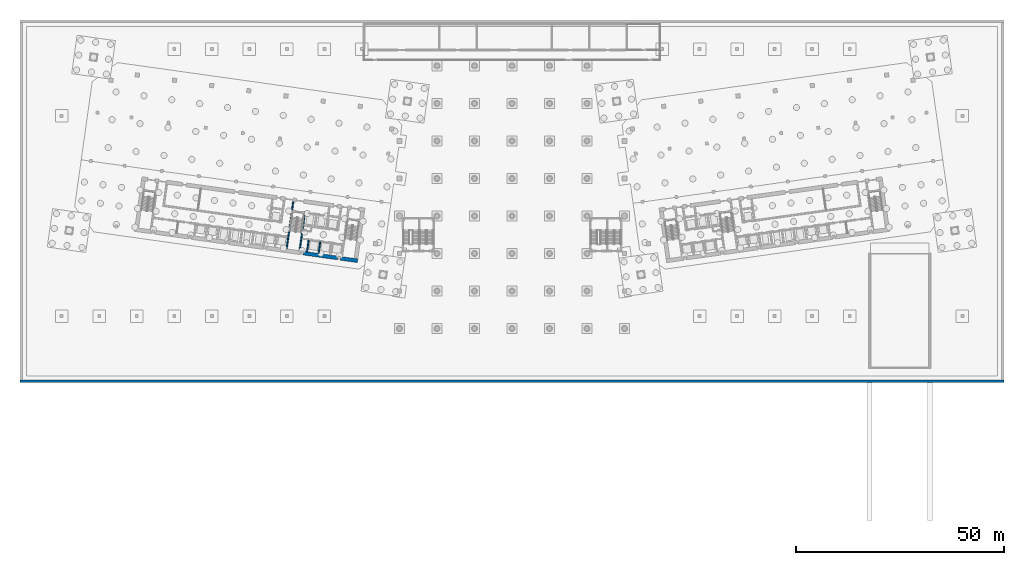
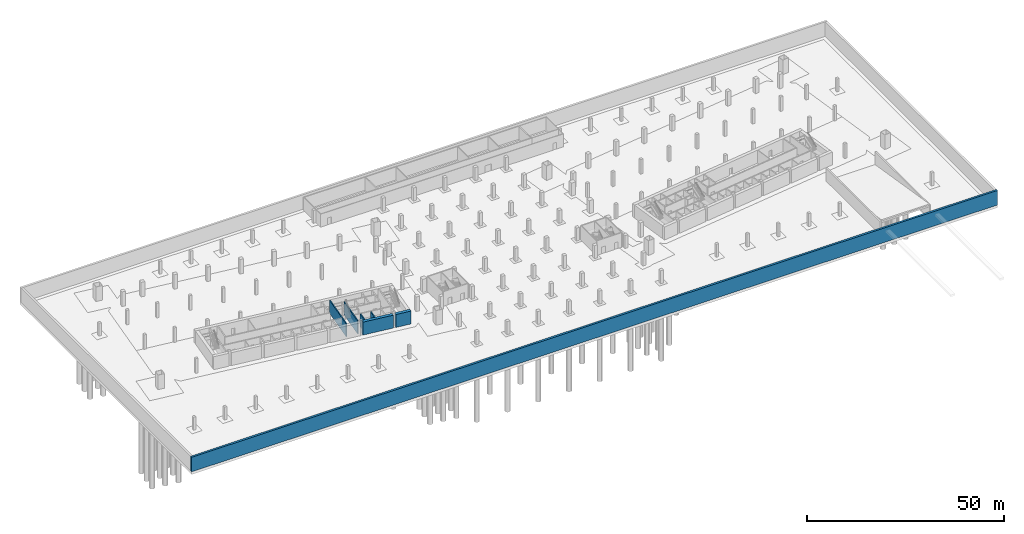
# One storey, part 6 of 19: 7 walls.
"""IFC4 building model written with IfcOpenShell, lengths in metres."""

import ifcopenshell
import ifcopenshell.guid

model = None  # the IFC model being written
_history = None  # IfcOwnerHistory: only IFC2X3 demands one
_inside = {}  # id of a spatial element -> (the spatial element, [elements in it])
_under = {}  # id of a project, library or spatial element -> (it, [spatial elements below it])
_declared = {}  # id of a project -> (the project, [libraries it declares])
_typed = {}  # id of a type object -> (the type object, [elements of that type])
_made_of = {}  # id of a material, layer set ... -> (it, [elements and type objects made of it])


def new_model(schema):
    """Start an empty IFC model of exactly this schema.

    Asked for "IFC4X3", IfcOpenShell would pick the latest addendum, in which some entities
    have other attributes; the version numbers below select the first issue.
    IFC2X3 requires an IfcOwnerHistory on every rooted entity: one is made here for all.
    """
    global model, _history
    if schema == "IFC4X3":
        model = ifcopenshell.file(schema_version=(4, 3, 0, 0))
    else:
        model = ifcopenshell.file(schema=schema)
    _inside.clear()
    _under.clear()
    _declared.clear()
    _typed.clear()
    _made_of.clear()
    _history = None
    if model.schema == "IFC2X3":
        org = make("IfcOrganization", Name="unknown")
        user = make(
            "IfcPersonAndOrganization",
            ThePerson=make("IfcPerson", FamilyName="unknown"),
            TheOrganization=org,
        )
        app = make(
            "IfcApplication",
            ApplicationDeveloper=org,
            Version="unknown",
            ApplicationFullName="unknown",
            ApplicationIdentifier="unknown",
        )
        _history = make(
            "IfcOwnerHistory",
            OwningUser=user,
            OwningApplication=app,
            ChangeAction="ADDED",
            CreationDate=0,
        )
    return model


def make(cls, **values):
    """One entity of the class cls with the attributes given. An attribute that is None is left unset."""
    return model.create_entity(
        cls, **{name: value for name, value in values.items() if value is not None}
    )


def rooted(cls, **values):
    """An entity with a GlobalId (a new one), such as an element, a storey or a relation."""
    return make(cls, GlobalId=ifcopenshell.guid.new(), OwnerHistory=_history, **values)


def si_unit(unit_type, name, prefix=None):
    """IfcSIUnit, for example si_unit("LENGTHUNIT", "METRE", prefix="MILLI")."""
    return make("IfcSIUnit", UnitType=unit_type, Prefix=prefix, Name=name)


def assignment(units):
    """IfcUnitAssignment: the units of a project."""
    return None if units is None else make("IfcUnitAssignment", Units=units)


def point(xyz):
    """IfcCartesianPoint."""
    return None if xyz is None else make("IfcCartesianPoint", Coordinates=xyz)


def direction(xyz):
    """IfcDirection."""
    return None if xyz is None else make("IfcDirection", DirectionRatios=xyz)


def frame(location, z_axis=None, x_axis=None):
    """IfcAxis2Placement3D, a coordinate frame: its origin and axes. An axis left out is left unset."""
    return make(
        "IfcAxis2Placement3D",
        Location=point(location),
        Axis=direction(z_axis),
        RefDirection=direction(x_axis),
    )


def frame_2d(location, x_axis=None):
    """IfcAxis2Placement2D, a coordinate frame in the plane: its origin and x axis."""
    return make(
        "IfcAxis2Placement2D", Location=point(location), RefDirection=direction(x_axis)
    )


def origin():
    """The frame at (0, 0, 0) with its axes left unset."""
    return frame((0.0, 0.0, 0.0))


def place(relative_to, where):
    """IfcLocalPlacement: puts the frame where relative to a parent placement (None: the world)."""
    return make(
        "IfcLocalPlacement", PlacementRelTo=relative_to, RelativePlacement=where
    )


def context(
    kind, dimensions, precision=None, world=None, true_north=None, identifier=None
):
    """IfcGeometricRepresentationContext, for example the 3D "Model" context."""
    return make(
        "IfcGeometricRepresentationContext",
        ContextIdentifier=identifier,
        ContextType=kind,
        CoordinateSpaceDimension=dimensions,
        Precision=precision,
        WorldCoordinateSystem=world,
        TrueNorth=true_north,
    )


def subcontext(parent, identifier, kind, view, scale=None):
    """IfcGeometricRepresentationSubContext, for example "Body" below "Model"."""
    return make(
        "IfcGeometricRepresentationSubContext",
        ContextIdentifier=identifier,
        ContextType=kind,
        ParentContext=parent,
        TargetScale=scale,
        TargetView=view,
    )


def project(units=None, contexts=None):
    """IfcProject with its units and contexts."""
    return rooted(
        "IfcProject",
        Name="project",
        RepresentationContexts=contexts,
        UnitsInContext=assignment(units),
    )


def spatial(cls, under=None, at=None, **own):
    """A site, building, storey or space (cls), placed at a placement, below another one or the project."""
    s = rooted(cls, ObjectPlacement=at, **own)
    if under is not None:
        _under.setdefault(under.id(), (under, []))[1].append(s)
    return s


def profile(cls, at=None, kind="AREA", **sizes):
    """A parametric profile (cls). Its sizes go by their IFC names, for example OverallWidth=200.0."""
    return make(cls, ProfileType=kind, Position=at, **sizes)


def rectangle(**sizes):
    """IfcRectangleProfileDef."""
    return profile("IfcRectangleProfileDef", **sizes)


def extrude(swept, where, along, depth):
    """IfcExtrudedAreaSolid: the profile swept, set in the frame where, extruded along a direction by depth."""
    return make(
        "IfcExtrudedAreaSolid",
        SweptArea=swept,
        Position=where,
        ExtrudedDirection=direction(along),
        Depth=depth,
    )


def shape(context_of_items, identifier, shape_type, items):
    """IfcShapeRepresentation: the items that make up one representation, for example the "Body"."""
    return make(
        "IfcShapeRepresentation",
        ContextOfItems=context_of_items,
        RepresentationIdentifier=identifier,
        RepresentationType=shape_type,
        Items=items,
    )


def material(Name=None, Category=None):
    """IfcMaterial."""
    return make("IfcMaterial", Name=Name, Category=Category)


def layer(
    of_material, thickness, ventilated=None, Name=None, Category=None, Priority=None
):
    """IfcMaterialLayer: one layer of a wall or slab, of a material (None: an air gap)."""
    return make(
        "IfcMaterialLayer",
        Material=of_material,
        LayerThickness=thickness,
        IsVentilated=ventilated,
        Name=Name,
        Category=Category,
        Priority=Priority,
    )


def layer_set(layers, Name=None):
    """IfcMaterialLayerSet."""
    return make("IfcMaterialLayerSet", MaterialLayers=layers, LayerSetName=Name)


def made_of(thing, what):
    """Note that an element or type object is made of a material, layer set ...; save() writes the relation."""
    if what is not None:
        _made_of.setdefault(what.id(), (what, []))[1].append(thing)
    return thing


def type_object(cls, material=None, **own):
    """A type object (cls), such as IfcWallType, which elements share."""
    return made_of(rooted(cls, **own), material)


def element(
    cls,
    number,
    at=None,
    inside=None,
    cuts=None,
    type_object=None,
    material=None,
    context=None,
    identifier="Body",
    shape_type=None,
    held_by="IfcProductDefinitionShape",
    body=None,
    shapes=None,
    **own,
):
    """One element of the class cls, such as IfcWall. Its Tag is "e" and its number.

    at: its placement. inside: the storey or other place that contains it. cuts: it is an
    opening in that element (IfcRelVoidsElement). A single representation is given by context,
    identifier, shape_type and body (its items); several are given by shapes. held_by: the class
    of the entity that holds the representations. save() writes the other relations.
    """
    e = rooted(cls, Tag="e%d" % number, ObjectPlacement=at, **own)
    if body is not None:
        shapes = [shape(context, identifier, shape_type, body)]
    if shapes is not None:
        e.Representation = make(held_by, Representations=shapes)
    if inside is not None:
        _inside.setdefault(inside.id(), (inside, []))[1].append(e)
    if cuts is not None:
        rooted(
            "IfcRelVoidsElement", RelatingBuildingElement=cuts, RelatedOpeningElement=e
        )
    if type_object is not None:
        _typed.setdefault(type_object.id(), (type_object, []))[1].append(e)
    return made_of(e, material)


def aggregate(whole, parts):
    """IfcRelAggregates: a whole, such as a stair, and the parts it consists of."""
    return rooted("IfcRelAggregates", RelatingObject=whole, RelatedObjects=parts)


def save(model, path):
    """Write the relations noted so far, then the file.

    IfcRelAggregates (storeys below a building ...), IfcRelContainedInSpatialStructure (elements
    in a storey), IfcRelDefinesByType, IfcRelAssociatesMaterial and IfcRelDeclares: one each for
    every whole, place, type object, material and project.
    """
    for whole, parts in _under.values():
        aggregate(whole, parts)
    for where, things in _inside.values():
        rooted(
            "IfcRelContainedInSpatialStructure",
            RelatedElements=things,
            RelatingStructure=where,
        )
    for kind, things in _typed.values():
        rooted("IfcRelDefinesByType", RelatedObjects=things, RelatingType=kind)
    for what, things in _made_of.values():
        rooted("IfcRelAssociatesMaterial", RelatedObjects=things, RelatingMaterial=what)
    for by, libraries in _declared.values():
        rooted("IfcRelDeclares", RelatingContext=by, RelatedDefinitions=libraries)
    model.write(path)


model = new_model("IFC4")

# Units and contexts
model_context = context("Model", 3, precision=1e-05, world=origin(), true_north=direction((0.0, 1.0)))
body_context = subcontext(model_context, "Body", "Model", "MODEL_VIEW")
ifc_project = project(units=[si_unit("LENGTHUNIT", "METRE"), si_unit("AREAUNIT", "SQUARE_METRE"), si_unit("VOLUMEUNIT", "CUBIC_METRE"), si_unit("PLANEANGLEUNIT", "RADIAN"), si_unit("MASSUNIT", "GRAM", prefix="KILO")], contexts=[model_context])

# Site, building, storey
site_placement = place(None, origin())
site = spatial("IfcSite", under=ifc_project, at=site_placement, CompositionType="ELEMENT")
building_placement = place(site_placement, origin())
building = spatial("IfcBuilding", under=site, at=building_placement, Name="Mirante Cascada Hotel Towers", CompositionType="ELEMENT")
storey_placement = place(building_placement, frame((0.0, 0.0, -9.0)))
storey = spatial("IfcBuildingStorey", under=building, at=storey_placement, Name="B2", CompositionType="ELEMENT", Elevation=-9.0)

# Walls
ifc_material_1 = material(Name="Concrete C50/60", Category="concrete")
ifc_layer_1 = layer(ifc_material_1, 0.3)
ifc_layer_set_1 = layer_set([ifc_layer_1], Name="RC core wall 300 C50/60")
wall_type_1 = type_object("IfcWallType", Name="RC core wall 300 C50/60", PredefinedType="SHEAR", material=ifc_layer_set_1)
wall_1_placement = place(storey_placement, frame((-50.938, -17.3352, 0.0), z_axis=(0.0, 0.0, 1.0), x_axis=(0.1391706, 0.9902684, 0.0)))
element("IfcWall", 1, at=wall_1_placement, inside=storey, type_object=wall_type_1, Name="Core wall T1:B2:6", PredefinedType="SHEAR", context=body_context, shape_type="SweptSolid", body=[
    extrude(rectangle(XDim=9.4, YDim=0.3, at=frame_2d((4.7, 0.0))), origin(), (0.0, 0.0, 1.0), 4.0),
])
wall_2_placement = place(storey_placement, frame((-54.0574, -16.8968, 0.0), z_axis=(0.0, 0.0, 1.0), x_axis=(0.1391761, 0.9902677, 0.0)))
element("IfcWall", 2, at=wall_2_placement, inside=storey, type_object=wall_type_1, Name="Core wall T1:B2:7", PredefinedType="SHEAR", context=body_context, shape_type="SweptSolid", body=[
    extrude(rectangle(XDim=11.3999, YDim=0.3, at=frame_2d((5.7, 0.0))), origin(), (0.0, 0.0, 1.0), 4.0),
])
wall_3_placement = place(storey_placement, frame((-46.3828, -17.9754, 0.0), z_axis=(0.0, 0.0, 1.0), x_axis=(0.139181, 0.990267, 0.0)))
element("IfcWall", 3, at=wall_3_placement, inside=storey, type_object=wall_type_1, Name="Core wall T1:B2:16", PredefinedType="SHEAR", context=body_context, shape_type="SweptSolid", body=[
    extrude(rectangle(XDim=2.8, YDim=0.3, at=frame_2d((1.4, 0.0))), origin(), (0.0, 0.0, 1.0), 4.0),
])
wall_4_placement = place(storey_placement, frame((-49.1555, -17.5857, 0.0), z_axis=(0.0, 0.0, 1.0), x_axis=(0.1391459, 0.9902719, 0.0)))
element("IfcWall", 4, at=wall_4_placement, inside=storey, type_object=wall_type_1, Name="Core wall T1:B2:17", PredefinedType="SHEAR", context=body_context, shape_type="SweptSolid", body=[
    extrude(rectangle(XDim=2.7999, YDim=0.3, at=frame_2d((1.4, 0.0))), origin(), (0.0, 0.0, 1.0), 4.0),
])
ifc_material_2 = material(Name="Concrete C50/60", Category="concrete")
ifc_layer_2 = layer(ifc_material_2, 0.9)
ifc_layer_set_2 = layer_set([ifc_layer_2], Name="RC core wall 900 C50/60")
wall_type_2 = type_object("IfcWallType", Name="RC core wall 900 C50/60", PredefinedType="SHEAR", material=ifc_layer_set_2)
wall_5_placement = place(storey_placement, frame((-37.0379, -19.7432, 0.0), z_axis=(0.0, 0.0, 1.0), x_axis=(-0.990267, 0.139181, 0.0)))
element("IfcWall", 5, at=wall_5_placement, inside=storey, type_object=wall_type_2, Name="Core wall T1:B2:1.1", PredefinedType="SHEAR", context=body_context, shape_type="SweptSolid", body=[
    extrude(rectangle(XDim=4.15, YDim=0.9, at=frame_2d((2.075, 0.0))), origin(), (0.0, 0.0, 1.0), 4.0),
])
wall_6_placement = place(storey_placement, frame((-41.8407, -19.0682, 0.0), z_axis=(0.0, 0.0, 1.0), x_axis=(-0.9902686, 0.1391692, 0.0)))
element("IfcWall", 6, at=wall_6_placement, inside=storey, type_object=wall_type_2, Name="Core wall T1:B2:1.2", PredefinedType="SHEAR", context=body_context, shape_type="SweptSolid", body=[
    extrude(rectangle(XDim=8.3, YDim=0.9, at=frame_2d((4.15, 0.0))), origin(), (0.0, 0.0, 1.0), 4.0),
])
ifc_material_3 = material(Name="Concrete C35/45", Category="concrete")
ifc_layer_3 = layer(ifc_material_3, 0.6)
ifc_layer_set_3 = layer_set([ifc_layer_3], Name="Retaining wall 600 C35/45")
wall_type_3 = type_object("IfcWallType", Name="Retaining wall 600 C35/45", PredefinedType="SOLIDWALL", material=ifc_layer_set_3)
wall_7_placement = place(storey_placement, frame((-118.0, -48.7, 0.0), z_axis=(0.0, 0.0, 1.0), x_axis=(1.0, 0.0, 0.0)))
element("IfcWall", 7, at=wall_7_placement, inside=storey, type_object=wall_type_3, Name="wall:B:B2:4", PredefinedType="SOLIDWALL", context=body_context, shape_type="SweptSolid", body=[
    extrude(rectangle(XDim=236.0, YDim=0.6, at=frame_2d((118.0, 0.0))), origin(), (0.0, 0.0, 1.0), 4.5),
])

save(model, "model.ifc")
